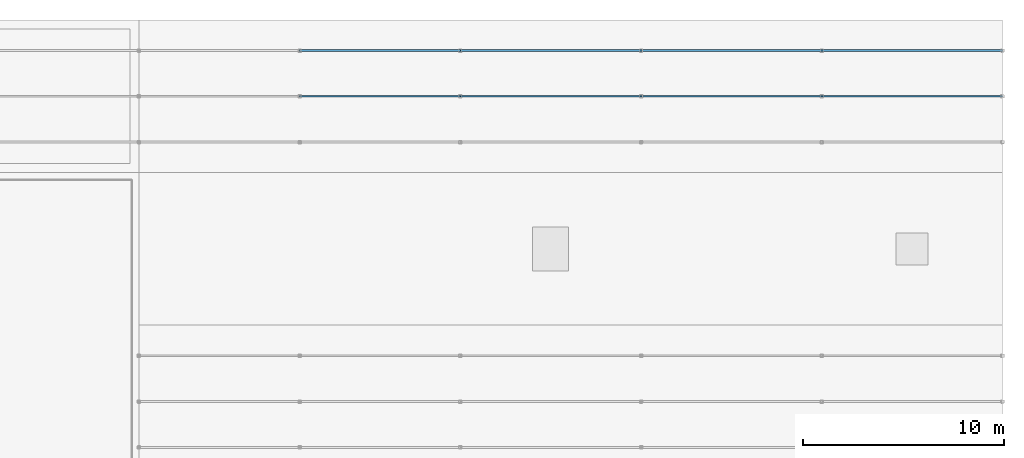
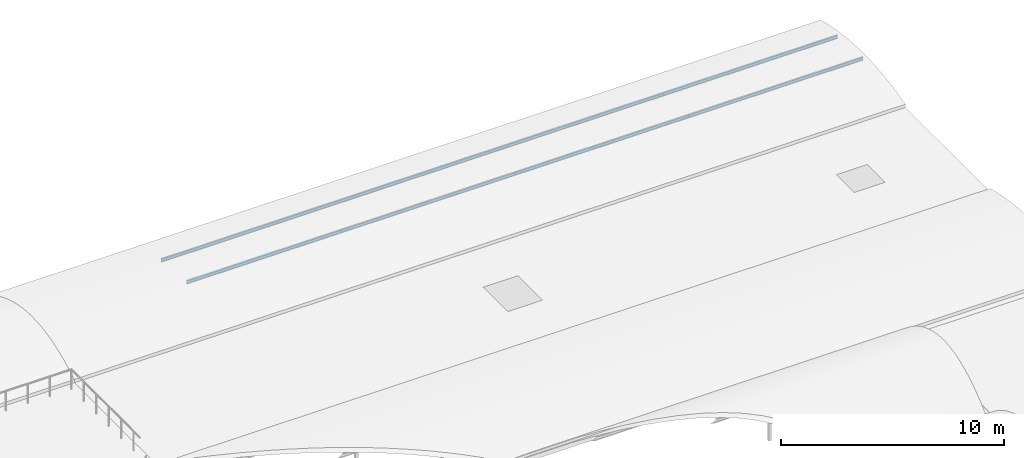
# One storey, part 25 of 46: 8 members.
"""IFC4 building model written with IfcOpenShell, lengths in metres."""

from ifc_helpers import new_model, si_unit, direction, frame, origin, origin_2d, place, context, subcontext, project, spatial, i_section, extrude, material, material_profile, profile_set, type_object, element, save


model = new_model("IFC4")

# Units and contexts
model_context = context("Model", 3, precision=1e-05, world=origin(), true_north=direction((0.0, 1.0)))
body_context = subcontext(model_context, "Body", "Model", "MODEL_VIEW")
ifc_project = project(units=[si_unit("LENGTHUNIT", "METRE"), si_unit("AREAUNIT", "SQUARE_METRE"), si_unit("VOLUMEUNIT", "CUBIC_METRE"), si_unit("PLANEANGLEUNIT", "RADIAN"), si_unit("MASSUNIT", "GRAM", prefix="KILO")], contexts=[model_context])

# Site, building, storey
site_placement = place(None, origin())
site = spatial("IfcSite", under=ifc_project, at=site_placement, CompositionType="ELEMENT")
building_placement = place(site_placement, origin())
building = spatial("IfcBuilding", under=site, at=building_placement, Name="Shalkamar Park Central Library", CompositionType="ELEMENT")
storey_placement = place(building_placement, frame((0.0, 0.0, 20.39990234375)))
storey = spatial("IfcBuildingStorey", under=building, at=storey_placement, Name="L05", CompositionType="ELEMENT", Elevation=20.39990234375)

# Members
ifc_material = material(Name="Steel S355", Category="steel")
ifc_material_profile = material_profile(ifc_material, i_section(OverallWidth=0.091064453125, OverallDepth=0.179931640625, WebThickness=0.00537109375, FlangeThickness=0.008056640625, FilletRadius=0.009033203125, at=origin_2d()), Name="IPE 180")
ifc_profile_set = profile_set([ifc_material_profile], Name="Steel S355")
member_type = type_object("IfcMemberType", Name="Roof Purlin IPE180", PredefinedType="PURLIN", material=ifc_profile_set)
member_1_placement = place(storey_placement, frame((229.0, 312.199951171875, 0.39013671875), z_axis=(1.0, 0.0, 0.0), x_axis=(0.0, 1.0, 0.0)))
element("IfcMember", 1, at=member_1_placement, inside=storey, type_object=member_type, Name="Barrel Roof Purlin BV-L04-N2-2.15", PredefinedType="PURLIN", context=body_context, shape_type="SweptSolid", body=[
    extrude(i_section(OverallWidth=0.091064453125, OverallDepth=0.179931640625, WebThickness=0.00537109375, FlangeThickness=0.008056640625, FilletRadius=0.009033203125, at=origin_2d()), origin(), (0.0, 0.0, 1.0), 8.0),
])
for number, where, z_axis, x_axis, name in (
    (2, (237.0, 312.199951171875, 0.39013671875), (1.0, 0.0, 0.0), (0.0, 1.0, 0.0), "Barrel Roof Purlin BV-L04-N2-2.16"),
    (3, (246.0, 312.199951171875, 0.39013671875), (1.0, 0.0, 0.0), (0.0, 1.0, 0.0), "Barrel Roof Purlin BV-L04-N2-2.17"),
    (4, (255.0, 312.199951171875, 0.39013671875), (1.0, 0.0, 0.0), (0.0, 1.0, 0.0), "Barrel Roof Purlin BV-L04-N2-2.18"),
):
    element("IfcMember", number, at=place(storey_placement, frame(where, z_axis=z_axis, x_axis=x_axis)), inside=storey, type_object=member_type, Name=name, PredefinedType="PURLIN", context=body_context, shape_type="SweptSolid", body=[
        extrude(i_section(OverallWidth=0.091064453125, OverallDepth=0.179931640625, WebThickness=0.00537109375, FlangeThickness=0.008056640625, FilletRadius=0.009033203125, at=origin_2d()), origin(), (0.0, 0.0, 1.0), 9.0),
    ])
member_2_placement = place(storey_placement, frame((229.0, 314.47998046875, 0.202880859375), z_axis=(1.0, 0.0, 0.0), x_axis=(0.0, 1.0, 0.0)))
element("IfcMember", 5, at=member_2_placement, inside=storey, type_object=member_type, Name="Barrel Roof Purlin BV-L04-N2-3.15", PredefinedType="PURLIN", context=body_context, shape_type="SweptSolid", body=[
    extrude(i_section(OverallWidth=0.091064453125, OverallDepth=0.179931640625, WebThickness=0.00537109375, FlangeThickness=0.008056640625, FilletRadius=0.009033203125, at=origin_2d()), origin(), (0.0, 0.0, 1.0), 8.0),
])
for number, where, z_axis, x_axis, name in (
    (6, (237.0, 314.47998046875, 0.202880859375), (1.0, 0.0, 0.0), (0.0, 1.0, 0.0), "Barrel Roof Purlin BV-L04-N2-3.16"),
    (7, (246.0, 314.47998046875, 0.202880859375), (1.0, 0.0, 0.0), (0.0, 1.0, 0.0), "Barrel Roof Purlin BV-L04-N2-3.17"),
    (8, (255.0, 314.47998046875, 0.202880859375), (1.0, 0.0, 0.0), (0.0, 1.0, 0.0), "Barrel Roof Purlin BV-L04-N2-3.18"),
):
    element("IfcMember", number, at=place(storey_placement, frame(where, z_axis=z_axis, x_axis=x_axis)), inside=storey, type_object=member_type, Name=name, PredefinedType="PURLIN", context=body_context, shape_type="SweptSolid", body=[
        extrude(i_section(OverallWidth=0.091064453125, OverallDepth=0.179931640625, WebThickness=0.00537109375, FlangeThickness=0.008056640625, FilletRadius=0.009033203125, at=origin_2d()), origin(), (0.0, 0.0, 1.0), 9.0),
    ])

save(model, "model.ifc")
